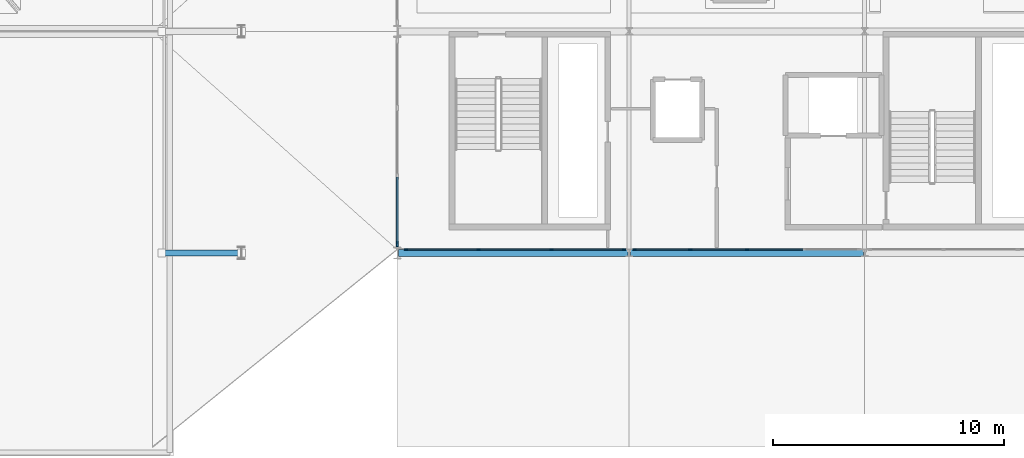
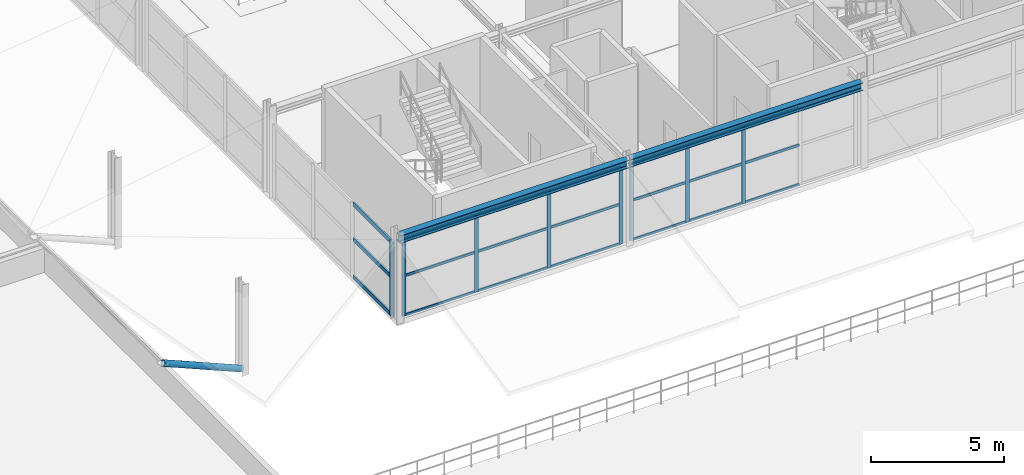
# One storey, part 16 of 81: 30 members, 2 beams, 3 elements without a shape of their own.
"""IFC4 building model written with IfcOpenShell, lengths in metres."""

from ifc_helpers import new_model, si_unit, direction, frame, origin, origin_2d, place, context, subcontext, project, spatial, rectangle, hollow_circle, i_section, extrude, material, layer, layer_set, material_profile, profile_set, type_object, element, aggregate, save


model = new_model("IFC4")

# Units and contexts
model_context = context("Model", 3, precision=1e-05, world=origin(), true_north=direction((0.0, 1.0)))
body_context = subcontext(model_context, "Body", "Model", "MODEL_VIEW")
ifc_project = project(units=[si_unit("LENGTHUNIT", "METRE"), si_unit("AREAUNIT", "SQUARE_METRE"), si_unit("VOLUMEUNIT", "CUBIC_METRE"), si_unit("PLANEANGLEUNIT", "RADIAN"), si_unit("MASSUNIT", "GRAM", prefix="KILO")], contexts=[model_context])

# Site, building, storey
site_placement = place(None, origin())
site = spatial("IfcSite", under=ifc_project, at=site_placement, CompositionType="ELEMENT")
building_placement = place(site_placement, origin())
building = spatial("IfcBuilding", under=site, at=building_placement, Name="Myrtia Square Station", CompositionType="ELEMENT")
storey_placement = place(building_placement, frame((0.0, 0.0, 10.800048828125)))
storey = spatial("IfcBuildingStorey", under=building, at=storey_placement, Name="L02", CompositionType="ELEMENT", Elevation=10.800048828125)

# Beams
ifc_material_1 = material(Name="Steel S355", Category="steel")
ifc_material_profile_1 = material_profile(ifc_material_1, i_section(OverallWidth=0.300048828125, OverallDepth=0.360107421875, WebThickness=0.012451171875, FlangeThickness=0.0224609375, FilletRadius=0.027099609375, at=origin_2d()), Name="HEB 360")
ifc_profile_set_1 = profile_set([ifc_material_profile_1], Name="Steel S355")
beam_type = type_object("IfcBeamType", Name="BM-HEB360", PredefinedType="BEAM", material=ifc_profile_set_1)
beam_1_placement = place(storey_placement, frame((79.39990234375, 28.800048828125, 3.780029296875), z_axis=(1.0, 0.0, 0.0), x_axis=(0.0, 1.0, 0.0)))
element("IfcBeam", 1, at=beam_1_placement, inside=storey, type_object=beam_type, Name="Structural girder BMX-L02-0691", PredefinedType="BEAM", context=body_context, shape_type="SweptSolid", body=[
    extrude(i_section(OverallWidth=0.300048828125, OverallDepth=0.360107421875, WebThickness=0.012451171875, FlangeThickness=0.0224609375, FilletRadius=0.027099609375, at=origin_2d()), origin(), (0.0, 0.0, 1.0), 9.9501953125),
])
beam_2_placement = place(storey_placement, frame((89.449951171875, 28.800048828125, 3.780029296875), z_axis=(1.0, 0.0, 0.0), x_axis=(0.0, 1.0, 0.0)))
element("IfcBeam", 2, at=beam_2_placement, inside=storey, type_object=beam_type, Name="Structural girder BMX-L02-0692", PredefinedType="BEAM", context=body_context, shape_type="SweptSolid", body=[
    extrude(i_section(OverallWidth=0.300048828125, OverallDepth=0.360107421875, WebThickness=0.012451171875, FlangeThickness=0.0224609375, FilletRadius=0.027099609375, at=origin_2d()), origin(), (0.0, 0.0, 1.0), 10.10009765625),
])

# Curtain wall, members
ifc_material_2 = material(Name="Dark bronze anodised aluminium", Category="aluminium")
ifc_layer_1 = layer(ifc_material_2, 0.159912109375, Name="Dark bronze anodised aluminium")
ifc_layer_set_1 = layer_set([ifc_layer_1], Name="Dark bronze anodised aluminium")
curtain_wall_type_1 = type_object("IfcCurtainWallType", Name="CW-TYPE-12-950x355", PredefinedType="USERDEFINED", material=ifc_layer_set_1)
curtain_wall_1_placement = place(storey_placement, origin())
curtain_wall_1 = element("IfcCurtainWall", 3, at=curtain_wall_1_placement, inside=storey, type_object=curtain_wall_type_1, Name="Concourse curtain wall CW-L02-047", ObjectType="CONCOURSE CURTAIN WALL", PredefinedType="USERDEFINED")
ifc_material_profile_2 = material_profile(ifc_material_2, rectangle(XDim=0.06005859375, YDim=0.159912109375, at=origin_2d()), Name="ALU-M 60x160")
ifc_profile_set_2 = profile_set([ifc_material_profile_2], Name="Dark bronze anodised aluminium")
member_type_1 = type_object("IfcMemberType", Name="CWM-60x160", PredefinedType="MULLION", material=ifc_profile_set_2)
member_1_placement = place(storey_placement, frame((79.72998046875, 28.949951171875, 0.0), z_axis=(0.0, 0.0, 1.0), x_axis=(0.0, 1.0, 0.0)))
member_1 = element("IfcMember", 4, at=member_1_placement, type_object=member_type_1, Name="CW-047 mullion 1", PredefinedType="MULLION", context=body_context, shape_type="SweptSolid", body=[
    extrude(rectangle(XDim=0.06005859375, YDim=0.159912109375, at=origin_2d()), origin(), (0.0, 0.0, 1.0), 3.550048828125),
])
member_2_placement = place(storey_placement, frame((82.86669921875, 28.949951171875, 0.0), z_axis=(0.0, 0.0, 1.0), x_axis=(0.0, 1.0, 0.0)))
member_2 = element("IfcMember", 5, at=member_2_placement, type_object=member_type_1, Name="CW-047 mullion 2", PredefinedType="MULLION", context=body_context, shape_type="SweptSolid", body=[
    extrude(rectangle(XDim=0.06005859375, YDim=0.159912109375, at=origin_2d()), origin(), (0.0, 0.0, 1.0), 3.550048828125),
])
member_3_placement = place(storey_placement, frame((86.033447265625, 28.949951171875, 0.0), z_axis=(0.0, 0.0, 1.0), x_axis=(0.0, 1.0, 0.0)))
member_3 = element("IfcMember", 6, at=member_3_placement, type_object=member_type_1, Name="CW-047 mullion 3", PredefinedType="MULLION", context=body_context, shape_type="SweptSolid", body=[
    extrude(rectangle(XDim=0.06005859375, YDim=0.159912109375, at=origin_2d()), origin(), (0.0, 0.0, 1.0), 3.550048828125),
])
member_4_placement = place(storey_placement, frame((89.169921875, 28.949951171875, 0.0), z_axis=(0.0, 0.0, 1.0), x_axis=(0.0, 1.0, 0.0)))
member_4 = element("IfcMember", 7, at=member_4_placement, type_object=member_type_1, Name="CW-047 mullion 4", PredefinedType="MULLION", context=body_context, shape_type="SweptSolid", body=[
    extrude(rectangle(XDim=0.06005859375, YDim=0.159912109375, at=origin_2d()), origin(), (0.0, 0.0, 1.0), 3.550048828125),
])

ifc_layer_2 = layer(ifc_material_2, 0.159912109375, Name="Dark bronze anodised aluminium")
ifc_layer_set_2 = layer_set([ifc_layer_2], Name="Dark bronze anodised aluminium")
curtain_wall_type_2 = type_object("IfcCurtainWallType", Name="CW-TYPE-13-980x355", PredefinedType="USERDEFINED", material=ifc_layer_set_2)
curtain_wall_2_placement = place(storey_placement, origin())
curtain_wall_2 = element("IfcCurtainWall", 8, at=curtain_wall_2_placement, inside=storey, type_object=curtain_wall_type_2, Name="Concourse curtain wall CW-L02-049", ObjectType="CONCOURSE CURTAIN WALL", PredefinedType="USERDEFINED")
member_5_placement = place(storey_placement, frame((89.6298828125, 28.949951171875, 0.0), z_axis=(0.0, 0.0, 1.0), x_axis=(0.0, 1.0, 0.0)))
member_5 = element("IfcMember", 9, at=member_5_placement, type_object=member_type_1, Name="CW-049 mullion 1", PredefinedType="MULLION", context=body_context, shape_type="SweptSolid", body=[
    extrude(rectangle(XDim=0.06005859375, YDim=0.159912109375, at=origin_2d()), origin(), (0.0, 0.0, 1.0), 3.550048828125),
])
member_6_placement = place(storey_placement, frame((92.050048828125, 28.949951171875, 0.0), z_axis=(0.0, 0.0, 1.0), x_axis=(0.0, 1.0, 0.0)))
member_6 = element("IfcMember", 10, at=member_6_placement, type_object=member_type_1, Name="CW-049 mullion 2", PredefinedType="MULLION", context=body_context, shape_type="SweptSolid", body=[
    extrude(rectangle(XDim=0.06005859375, YDim=0.159912109375, at=origin_2d()), origin(), (0.0, 0.0, 1.0), 3.550048828125),
])
member_7_placement = place(storey_placement, frame((94.5, 28.949951171875, 0.0), z_axis=(0.0, 0.0, 1.0), x_axis=(0.0, 1.0, 0.0)))
member_7 = element("IfcMember", 11, at=member_7_placement, type_object=member_type_1, Name="CW-049 mullion 3", PredefinedType="MULLION", context=body_context, shape_type="SweptSolid", body=[
    extrude(rectangle(XDim=0.06005859375, YDim=0.159912109375, at=origin_2d()), origin(), (0.0, 0.0, 1.0), 3.550048828125),
])

# Curtain wall, member
ifc_layer_3 = layer(ifc_material_2, 0.159912109375, Name="Dark bronze anodised aluminium")
ifc_layer_set_3 = layer_set([ifc_layer_3], Name="Dark bronze anodised aluminium")
curtain_wall_type_3 = type_object("IfcCurtainWallType", Name="CW-TYPE-05-890x341", PredefinedType="USERDEFINED", material=ifc_layer_set_3)
curtain_wall_3_placement = place(storey_placement, origin())
curtain_wall_3 = element("IfcCurtainWall", 12, at=curtain_wall_3_placement, inside=storey, type_object=curtain_wall_type_3, Name="Concourse curtain wall CW-L02-019", ObjectType="CONCOURSE CURTAIN WALL", PredefinedType="USERDEFINED")
ifc_material_profile_3 = material_profile(ifc_material_2, rectangle(XDim=0.074951171875, YDim=0.239990234375, at=origin_2d()), Name="ALU-M 75x240")
ifc_profile_set_3 = profile_set([ifc_material_profile_3], Name="Dark bronze anodised aluminium")
member_type_2 = type_object("IfcMemberType", Name="CWM-75x240", PredefinedType="MULLION", material=ifc_profile_set_3)
member_8_placement = place(storey_placement, frame((79.35009765625, 29.1875, 0.0), z_axis=(0.0, 0.0, 1.0), x_axis=(-1.0, 0.0, 0.0)))
member_8 = element("IfcMember", 13, at=member_8_placement, type_object=member_type_2, Name="CW-019 mullion 1", PredefinedType="MULLION", context=body_context, shape_type="SweptSolid", body=[
    extrude(rectangle(XDim=0.074951171875, YDim=0.239990234375, at=origin_2d()), origin(), (0.0, 0.0, 1.0), 3.409912109375),
])

# Member
ifc_material_profile_4 = material_profile(ifc_material_2, rectangle(XDim=0.06005859375, YDim=0.1201171875, at=origin_2d()), Name="ALU-T 60x120")
ifc_profile_set_4 = profile_set([ifc_material_profile_4], Name="Dark bronze anodised aluminium")
member_type_3 = type_object("IfcMemberType", Name="CWT-60x120", PredefinedType="USERDEFINED", material=ifc_profile_set_4)
member_9_placement = place(storey_placement, frame((79.760009765625, 28.949951171875, 0.030029296875), z_axis=(1.0, 0.0, 0.0), x_axis=(0.0, 1.0, 0.0)))
member_9 = element("IfcMember", 14, at=member_9_placement, type_object=member_type_3, Name="CW-047 transom 1.1", ObjectType="TRANSOM", PredefinedType="USERDEFINED", context=body_context, shape_type="SweptSolid", body=[
    extrude(rectangle(XDim=0.06005859375, YDim=0.1201171875, at=origin_2d()), origin(), (0.0, 0.0, 1.0), 3.07666015625),
])

member_10_placement = place(storey_placement, frame((79.760009765625, 28.949951171875, 1.845947265625), z_axis=(1.0, 0.0, 0.0), x_axis=(0.0, 1.0, 0.0)))
member_10 = element("IfcMember", 15, at=member_10_placement, type_object=member_type_3, Name="CW-047 transom 1.2", ObjectType="TRANSOM", PredefinedType="USERDEFINED", context=body_context, shape_type="SweptSolid", body=[
    extrude(rectangle(XDim=0.06005859375, YDim=0.1201171875, at=origin_2d()), origin(), (0.0, 0.0, 1.0), 3.07666015625),
])

member_11_placement = place(storey_placement, frame((79.760009765625, 28.949951171875, 3.52001953125), z_axis=(1.0, 0.0, 0.0), x_axis=(0.0, 1.0, 0.0)))
member_11 = element("IfcMember", 16, at=member_11_placement, type_object=member_type_3, Name="CW-047 transom 1.3", ObjectType="TRANSOM", PredefinedType="USERDEFINED", context=body_context, shape_type="SweptSolid", body=[
    extrude(rectangle(XDim=0.06005859375, YDim=0.1201171875, at=origin_2d()), origin(), (0.0, 0.0, 1.0), 3.07666015625),
])

member_12_placement = place(storey_placement, frame((82.896728515625, 28.949951171875, 0.030029296875), z_axis=(1.0, 0.0, 0.0), x_axis=(0.0, 1.0, 0.0)))
member_12 = element("IfcMember", 17, at=member_12_placement, type_object=member_type_3, Name="CW-047 transom 2.1", ObjectType="TRANSOM", PredefinedType="USERDEFINED", context=body_context, shape_type="SweptSolid", body=[
    extrude(rectangle(XDim=0.06005859375, YDim=0.1201171875, at=origin_2d()), origin(), (0.0, 0.0, 1.0), 3.106689453125),
])

member_13_placement = place(storey_placement, frame((82.896728515625, 28.949951171875, 1.845947265625), z_axis=(1.0, 0.0, 0.0), x_axis=(0.0, 1.0, 0.0)))
member_13 = element("IfcMember", 18, at=member_13_placement, type_object=member_type_3, Name="CW-047 transom 2.2", ObjectType="TRANSOM", PredefinedType="USERDEFINED", context=body_context, shape_type="SweptSolid", body=[
    extrude(rectangle(XDim=0.06005859375, YDim=0.1201171875, at=origin_2d()), origin(), (0.0, 0.0, 1.0), 3.106689453125),
])

member_14_placement = place(storey_placement, frame((82.896728515625, 28.949951171875, 3.52001953125), z_axis=(1.0, 0.0, 0.0), x_axis=(0.0, 1.0, 0.0)))
member_14 = element("IfcMember", 19, at=member_14_placement, type_object=member_type_3, Name="CW-047 transom 2.3", ObjectType="TRANSOM", PredefinedType="USERDEFINED", context=body_context, shape_type="SweptSolid", body=[
    extrude(rectangle(XDim=0.06005859375, YDim=0.1201171875, at=origin_2d()), origin(), (0.0, 0.0, 1.0), 3.106689453125),
])

member_15_placement = place(storey_placement, frame((86.063232421875, 28.949951171875, 0.030029296875), z_axis=(1.0, 0.0, 0.0), x_axis=(0.0, 1.0, 0.0)))
member_15 = element("IfcMember", 20, at=member_15_placement, type_object=member_type_3, Name="CW-047 transom 3.1", ObjectType="TRANSOM", PredefinedType="USERDEFINED", context=body_context, shape_type="SweptSolid", body=[
    extrude(rectangle(XDim=0.06005859375, YDim=0.1201171875, at=origin_2d()), origin(), (0.0, 0.0, 1.0), 3.07666015625),
])

member_16_placement = place(storey_placement, frame((86.063232421875, 28.949951171875, 1.845947265625), z_axis=(1.0, 0.0, 0.0), x_axis=(0.0, 1.0, 0.0)))
member_16 = element("IfcMember", 21, at=member_16_placement, type_object=member_type_3, Name="CW-047 transom 3.2", ObjectType="TRANSOM", PredefinedType="USERDEFINED", context=body_context, shape_type="SweptSolid", body=[
    extrude(rectangle(XDim=0.06005859375, YDim=0.1201171875, at=origin_2d()), origin(), (0.0, 0.0, 1.0), 3.07666015625),
])

member_17_placement = place(storey_placement, frame((86.063232421875, 28.949951171875, 3.52001953125), z_axis=(1.0, 0.0, 0.0), x_axis=(0.0, 1.0, 0.0)))
member_17 = element("IfcMember", 22, at=member_17_placement, type_object=member_type_3, Name="CW-047 transom 3.3", ObjectType="TRANSOM", PredefinedType="USERDEFINED", context=body_context, shape_type="SweptSolid", body=[
    extrude(rectangle(XDim=0.06005859375, YDim=0.1201171875, at=origin_2d()), origin(), (0.0, 0.0, 1.0), 3.07666015625),
])

aggregate(curtain_wall_1, [member_1, member_2, member_3, member_4, member_9, member_10, member_11, member_12, member_13, member_14, member_15, member_16, member_17])

member_18_placement = place(storey_placement, frame((89.659912109375, 28.949951171875, 0.030029296875), z_axis=(1.0, 0.0, 0.0), x_axis=(0.0, 1.0, 0.0)))
member_18 = element("IfcMember", 23, at=member_18_placement, type_object=member_type_3, Name="CW-049 transom 1.1", ObjectType="TRANSOM", PredefinedType="USERDEFINED", context=body_context, shape_type="SweptSolid", body=[
    extrude(rectangle(XDim=0.06005859375, YDim=0.1201171875, at=origin_2d()), origin(), (0.0, 0.0, 1.0), 2.360107421875),
])

member_19_placement = place(storey_placement, frame((89.659912109375, 28.949951171875, 1.845947265625), z_axis=(1.0, 0.0, 0.0), x_axis=(0.0, 1.0, 0.0)))
member_19 = element("IfcMember", 24, at=member_19_placement, type_object=member_type_3, Name="CW-049 transom 1.2", ObjectType="TRANSOM", PredefinedType="USERDEFINED", context=body_context, shape_type="SweptSolid", body=[
    extrude(rectangle(XDim=0.06005859375, YDim=0.1201171875, at=origin_2d()), origin(), (0.0, 0.0, 1.0), 2.360107421875),
])

member_20_placement = place(storey_placement, frame((89.659912109375, 28.949951171875, 3.52001953125), z_axis=(1.0, 0.0, 0.0), x_axis=(0.0, 1.0, 0.0)))
member_20 = element("IfcMember", 25, at=member_20_placement, type_object=member_type_3, Name="CW-049 transom 1.3", ObjectType="TRANSOM", PredefinedType="USERDEFINED", context=body_context, shape_type="SweptSolid", body=[
    extrude(rectangle(XDim=0.06005859375, YDim=0.1201171875, at=origin_2d()), origin(), (0.0, 0.0, 1.0), 2.360107421875),
])

member_21_placement = place(storey_placement, frame((92.080078125, 28.949951171875, 0.030029296875), z_axis=(1.0, 0.0, 0.0), x_axis=(0.0, 1.0, 0.0)))
member_21 = element("IfcMember", 26, at=member_21_placement, type_object=member_type_3, Name="CW-049 transom 2.1", ObjectType="TRANSOM", PredefinedType="USERDEFINED", context=body_context, shape_type="SweptSolid", body=[
    extrude(rectangle(XDim=0.06005859375, YDim=0.1201171875, at=origin_2d()), origin(), (0.0, 0.0, 1.0), 2.389892578125),
])

member_22_placement = place(storey_placement, frame((92.080078125, 28.949951171875, 1.845947265625), z_axis=(1.0, 0.0, 0.0), x_axis=(0.0, 1.0, 0.0)))
member_22 = element("IfcMember", 27, at=member_22_placement, type_object=member_type_3, Name="CW-049 transom 2.2", ObjectType="TRANSOM", PredefinedType="USERDEFINED", context=body_context, shape_type="SweptSolid", body=[
    extrude(rectangle(XDim=0.06005859375, YDim=0.1201171875, at=origin_2d()), origin(), (0.0, 0.0, 1.0), 2.389892578125),
])

member_23_placement = place(storey_placement, frame((92.080078125, 28.949951171875, 3.52001953125), z_axis=(1.0, 0.0, 0.0), x_axis=(0.0, 1.0, 0.0)))
member_23 = element("IfcMember", 28, at=member_23_placement, type_object=member_type_3, Name="CW-049 transom 2.3", ObjectType="TRANSOM", PredefinedType="USERDEFINED", context=body_context, shape_type="SweptSolid", body=[
    extrude(rectangle(XDim=0.06005859375, YDim=0.1201171875, at=origin_2d()), origin(), (0.0, 0.0, 1.0), 2.389892578125),
])

member_24_placement = place(storey_placement, frame((94.530029296875, 28.949951171875, 0.030029296875), z_axis=(1.0, 0.0, 0.0), x_axis=(0.0, 1.0, 0.0)))
member_24 = element("IfcMember", 29, at=member_24_placement, type_object=member_type_3, Name="CW-049 transom 3.1", ObjectType="TRANSOM", PredefinedType="USERDEFINED", context=body_context, shape_type="SweptSolid", body=[
    extrude(rectangle(XDim=0.06005859375, YDim=0.1201171875, at=origin_2d()), origin(), (0.0, 0.0, 1.0), 2.389892578125),
])

member_25_placement = place(storey_placement, frame((94.530029296875, 28.949951171875, 1.845947265625), z_axis=(1.0, 0.0, 0.0), x_axis=(0.0, 1.0, 0.0)))
member_25 = element("IfcMember", 30, at=member_25_placement, type_object=member_type_3, Name="CW-049 transom 3.2", ObjectType="TRANSOM", PredefinedType="USERDEFINED", context=body_context, shape_type="SweptSolid", body=[
    extrude(rectangle(XDim=0.06005859375, YDim=0.1201171875, at=origin_2d()), origin(), (0.0, 0.0, 1.0), 2.389892578125),
])

member_26_placement = place(storey_placement, frame((94.530029296875, 28.949951171875, 3.52001953125), z_axis=(1.0, 0.0, 0.0), x_axis=(0.0, 1.0, 0.0)))
member_26 = element("IfcMember", 31, at=member_26_placement, type_object=member_type_3, Name="CW-049 transom 3.3", ObjectType="TRANSOM", PredefinedType="USERDEFINED", context=body_context, shape_type="SweptSolid", body=[
    extrude(rectangle(XDim=0.06005859375, YDim=0.1201171875, at=origin_2d()), origin(), (0.0, 0.0, 1.0), 2.389892578125),
])

aggregate(curtain_wall_2, [member_5, member_6, member_7, member_18, member_19, member_20, member_21, member_22, member_23, member_24, member_25, member_26])

ifc_material_profile_5 = material_profile(ifc_material_2, rectangle(XDim=0.074951171875, YDim=0.179931640625, at=origin_2d()), Name="ALU-T 75x180")
ifc_profile_set_5 = profile_set([ifc_material_profile_5], Name="Dark bronze anodised aluminium")
member_type_4 = type_object("IfcMemberType", Name="CWT-75x180", PredefinedType="USERDEFINED", material=ifc_profile_set_5)
member_27_placement = place(storey_placement, frame((79.35009765625, 29.22509765625, 0.037353515625), z_axis=(0.0, 1.0, 0.0), x_axis=(-1.0, 0.0, 0.0)))
member_27 = element("IfcMember", 32, at=member_27_placement, type_object=member_type_4, Name="CW-019 transom 1.1", ObjectType="TRANSOM", PredefinedType="USERDEFINED", context=body_context, shape_type="SweptSolid", body=[
    extrude(rectangle(XDim=0.074951171875, YDim=0.179931640625, at=origin_2d()), origin(), (0.0, 0.0, 1.0), 2.85400390625),
])

member_28_placement = place(storey_placement, frame((79.35009765625, 29.22509765625, 1.77294921875), z_axis=(0.0, 1.0, 0.0), x_axis=(-1.0, 0.0, 0.0)))
member_28 = element("IfcMember", 33, at=member_28_placement, type_object=member_type_4, Name="CW-019 transom 1.2", ObjectType="TRANSOM", PredefinedType="USERDEFINED", context=body_context, shape_type="SweptSolid", body=[
    extrude(rectangle(XDim=0.074951171875, YDim=0.179931640625, at=origin_2d()), origin(), (0.0, 0.0, 1.0), 2.85400390625),
])

member_29_placement = place(storey_placement, frame((79.35009765625, 29.22509765625, 3.37255859375), z_axis=(0.0, 1.0, 0.0), x_axis=(-1.0, 0.0, 0.0)))
member_29 = element("IfcMember", 34, at=member_29_placement, type_object=member_type_4, Name="CW-019 transom 1.3", ObjectType="TRANSOM", PredefinedType="USERDEFINED", context=body_context, shape_type="SweptSolid", body=[
    extrude(rectangle(XDim=0.074951171875, YDim=0.179931640625, at=origin_2d()), origin(), (0.0, 0.0, 1.0), 2.85400390625),
])

aggregate(curtain_wall_3, [member_8, member_27, member_28, member_29])

ifc_material_profile_6 = material_profile(ifc_material_1, hollow_circle(Radius=0.136474609375, WallThickness=0.01611328125, at=origin_2d()), Name="CHS 273x16")
ifc_profile_set_6 = profile_set([ifc_material_profile_6], Name="Steel S355")
member_type_5 = type_object("IfcMemberType", Name="STR-CHS273", PredefinedType="STRUT", material=ifc_profile_set_6)
member_30_placement = place(storey_placement, frame((72.60009765625, 28.800048828125, 0.14990234375), z_axis=(-0.920450451423, 0.0, 0.39085926684), x_axis=(0.0, -1.0, 0.0)))
element("IfcMember", 35, at=member_30_placement, inside=storey, type_object=member_type_5, Name="Lower wrap west raking strut STR-LO-003", PredefinedType="STRUT", context=body_context, shape_type="SweptSolid", body=[
    extrude(hollow_circle(Radius=0.136474609375, WallThickness=0.01611328125, at=origin_2d()), origin(), (0.0, 0.0, 1.0), 3.748291015625),
])

save(model, "model.ifc")
